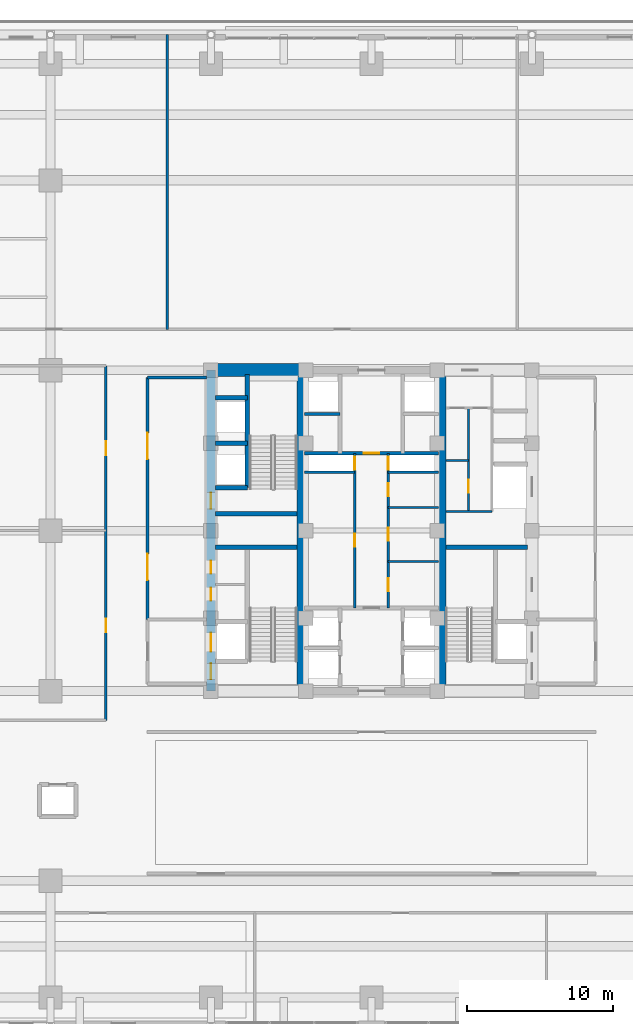
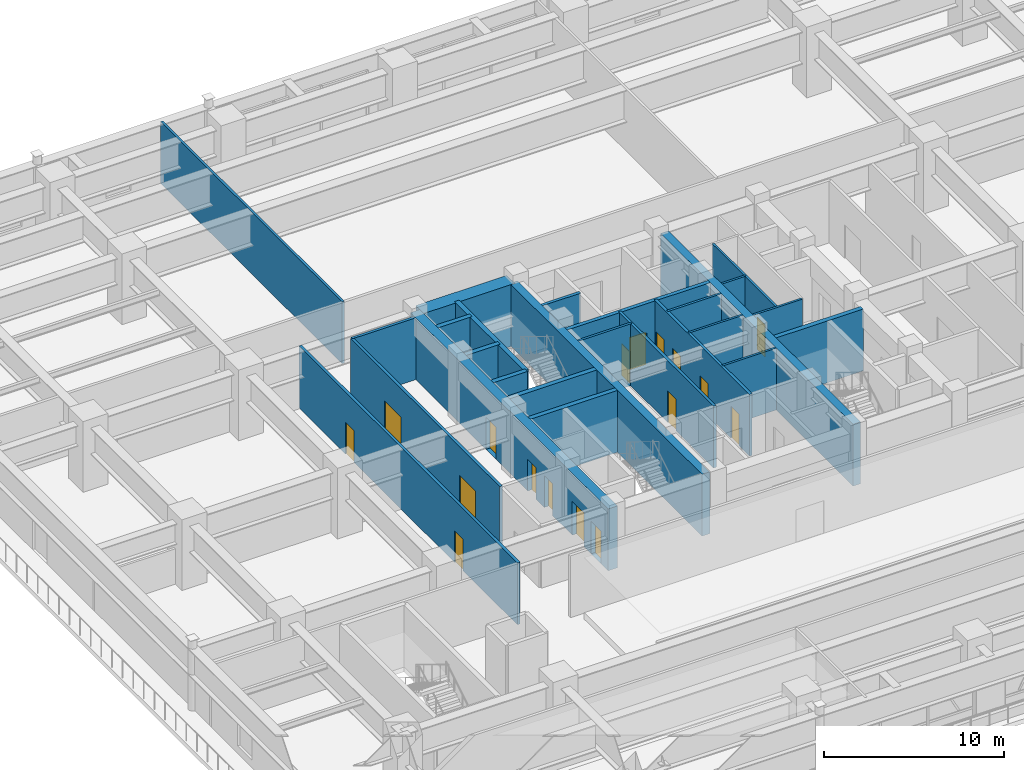
# One storey, part 24 of 35: 26 walls, 17 doors, 17 openings.
"""IFC4 building model written with IfcOpenShell, lengths in metres."""

from ifc_helpers import new_model, si_unit, direction, frame, frame_2d, origin, place, context, subcontext, project, spatial, rectangle, extrude, source, transform, mapped, material, layer, layer_set, type_object, element, fill, save


model = new_model("IFC4")

# Units and contexts
model_context = context("Model", 3, precision=1e-05, world=origin(), true_north=direction((0.0, 1.0)))
body_context = subcontext(model_context, "Body", "Model", "MODEL_VIEW")
ifc_project = project(units=[si_unit("LENGTHUNIT", "METRE"), si_unit("AREAUNIT", "SQUARE_METRE"), si_unit("VOLUMEUNIT", "CUBIC_METRE"), si_unit("PLANEANGLEUNIT", "RADIAN"), si_unit("MASSUNIT", "GRAM", prefix="KILO")], contexts=[model_context])

# Site, building, storey
site_placement = place(None, origin())
site = spatial("IfcSite", under=ifc_project, at=site_placement, CompositionType="ELEMENT")
building_placement = place(site_placement, origin())
building = spatial("IfcBuilding", under=site, at=building_placement, Name="Khorayat Bourse Tower", CompositionType="ELEMENT")
storey_placement = place(building_placement, frame((0.0, 0.0, 22.199951171875)))
storey = spatial("IfcBuildingStorey", under=building, at=storey_placement, Name="L04", CompositionType="ELEMENT", Elevation=22.199951171875)

# Wall, openings, doors
ifc_material_1 = material(Name="Concrete C60/75", Category="concrete")
ifc_layer_1 = layer(ifc_material_1, 0.60009765625)
ifc_layer_set_1 = layer_set([ifc_layer_1], Name="Concrete C60/75")
wall_type_1 = type_object("IfcWallType", Name="WAL-CORE-600", PredefinedType="SHEAR", material=ifc_layer_set_1)
shared_shape_1 = source(origin(), body_context, "Body", "SweptSolid", [
    extrude(rectangle(XDim=22.0, YDim=0.60009765625, at=frame_2d((11.0, 0.0))), origin(), (0.0, 0.0, 1.0), 4.199951171875),
])
wall_1_placement = place(storey_placement, frame((-11.0, -11.0, 0.0), z_axis=(0.0, 0.0, 1.0), x_axis=(0.0, 1.0, 0.0)))
wall_1 = element("IfcWall", 1, at=wall_1_placement, inside=storey, type_object=wall_type_1, Name="L04 Core Shear Wall CORE-W", PredefinedType="SHEAR", context=body_context, shape_type="MappedRepresentation", body=[
    mapped(shared_shape_1, transform((0.0, 0.0, 0.0), scale=1.0)),
])
shared_shape_2 = source(origin(), body_context, "Body", "SweptSolid", [
    extrude(rectangle(XDim=1.10009765625, YDim=2.199951171875, at=frame_2d((0.550048828125, 1.10009765625))), frame((0.0, 0.31005859375, 0.0), z_axis=(0.0, -1.0, 0.0), x_axis=(1.0, 0.0, 0.0)), (0.0, 0.0, 1.0), 0.6201171875),
])
opening_1_placement = place(wall_1_placement, frame((0.800048828125, 0.0, 0.0)))
opening_1 = element("IfcOpeningElement", 2, at=opening_1_placement, cuts=wall_1, Name="Opening DI-01", PredefinedType="OPENING", context=body_context, shape_type="MappedRepresentation", body=[
    mapped(shared_shape_2, transform((0.0, 0.0, 0.0), scale=1.0)),
])
opening_2_placement = place(wall_1_placement, frame((12.5, 0.0, 0.0)))
opening_2 = element("IfcOpeningElement", 3, at=opening_2_placement, cuts=wall_1, Name="Opening DI-01", PredefinedType="OPENING", context=body_context, shape_type="MappedRepresentation", body=[
    mapped(shared_shape_2, transform((0.0, 0.0, 0.0), scale=1.0)),
])
shared_shape_3 = source(origin(), body_context, "Body", "SweptSolid", [
    extrude(rectangle(XDim=0.89990234375, YDim=2.14990234375, at=frame_2d((0.449951171875, 1.074951171875))), frame((0.0, 0.31005859375, 0.0), z_axis=(0.0, -1.0, 0.0), x_axis=(1.0, 0.0, 0.0)), (0.0, 0.0, 1.0), 0.6201171875),
])
opening_3_placement = place(wall_1_placement, frame((6.199951171875, 0.0, 0.0)))
opening_3 = element("IfcOpeningElement", 4, at=opening_3_placement, cuts=wall_1, Name="Opening DI-06", PredefinedType="OPENING", context=body_context, shape_type="MappedRepresentation", body=[
    mapped(shared_shape_3, transform((0.0, 0.0, 0.0), scale=1.0)),
])
opening_4_placement = place(wall_1_placement, frame((8.050048828125, 0.0, 0.0)))
opening_4 = element("IfcOpeningElement", 5, at=opening_4_placement, cuts=wall_1, Name="Opening DI-06", PredefinedType="OPENING", context=body_context, shape_type="MappedRepresentation", body=[
    mapped(shared_shape_3, transform((0.0, 0.0, 0.0), scale=1.0)),
])
shared_shape_4 = source(origin(), body_context, "Body", "SweptSolid", [
    extrude(rectangle(XDim=1.300048828125, YDim=2.300048828125, at=frame_2d((0.64990234375, 1.14990234375))), frame((0.0, 0.31005859375, 0.0), z_axis=(0.0, -1.0, 0.0), x_axis=(1.0, 0.0, 0.0)), (0.0, 0.0, 1.0), 0.6201171875),
])
opening_5_placement = place(wall_1_placement, frame((2.699951171875, 0.0, 0.0)))
opening_5 = element("IfcOpeningElement", 6, at=opening_5_placement, cuts=wall_1, Name="Opening LD-02", PredefinedType="OPENING", context=body_context, shape_type="MappedRepresentation", body=[
    mapped(shared_shape_4, transform((0.0, 0.0, 0.0), scale=1.0)),
])
ifc_material_2 = material(Name="Fire-rated steel acoustic leaf", Category="steel")
door_type_1 = type_object("IfcDoorType", Name="DR-INT-STAIR-1100", OperationType="NOTDEFINED", PredefinedType="DOOR", material=ifc_material_2)
shared_shape_5 = source(origin(), body_context, "Body", "SweptSolid", [
    extrude(rectangle(XDim=1.10009765625, YDim=2.199951171875, at=frame_2d((0.550048828125, 1.10009765625))), frame((0.0, 0.02490234375, 0.0), z_axis=(0.0, -1.0, 0.0), x_axis=(1.0, 0.0, 0.0)), (0.0, 0.0, 1.0), 0.050048828125),
])
door_1_placement = place(opening_1_placement, origin())
door_1 = element("IfcDoor", 7, at=door_1_placement, inside=storey, type_object=door_type_1, Name="L04 Exit Stair 1 Door", OperationType="SINGLE_SWING_RIGHT", OverallHeight=2.199951171875, OverallWidth=1.10009765625, PredefinedType="DOOR", context=body_context, shape_type="MappedRepresentation", body=[
    mapped(shared_shape_5, transform((0.0, 0.0, 0.0), scale=1.0)),
])
fill(opening_1, door_1)
door_2_placement = place(opening_2_placement, origin())
door_2 = element("IfcDoor", 8, at=door_2_placement, inside=storey, type_object=door_type_1, Name="L04 Exit Stair 2 Door", OperationType="SINGLE_SWING_RIGHT", OverallHeight=2.199951171875, OverallWidth=1.10009765625, PredefinedType="DOOR", context=body_context, shape_type="MappedRepresentation", body=[
    mapped(shared_shape_5, transform((0.0, 0.0, 0.0), scale=1.0)),
])
fill(opening_2, door_2)
ifc_material_3 = material(Name="Moisture-resistant laminate washroom door")
door_type_2 = type_object("IfcDoorType", Name="DR-INT-WC-900", OperationType="NOTDEFINED", PredefinedType="DOOR", material=ifc_material_3)
shared_shape_6 = source(origin(), body_context, "Body", "SweptSolid", [
    extrude(rectangle(XDim=0.89990234375, YDim=2.14990234375, at=frame_2d((0.449951171875, 1.074951171875))), frame((0.0, 0.02490234375, 0.0), z_axis=(0.0, -1.0, 0.0), x_axis=(1.0, 0.0, 0.0)), (0.0, 0.0, 1.0), 0.050048828125),
])
door_3_placement = place(opening_3_placement, origin())
door_3 = element("IfcDoor", 9, at=door_3_placement, inside=storey, type_object=door_type_2, Name="L04 Electrical Plant Room Door", OperationType="SINGLE_SWING_RIGHT", OverallHeight=2.14990234375, OverallWidth=0.89990234375, PredefinedType="DOOR", context=body_context, shape_type="MappedRepresentation", body=[
    mapped(shared_shape_6, transform((0.0, 0.0, 0.0), scale=1.0)),
])
fill(opening_3, door_3)
door_4_placement = place(opening_4_placement, origin())
door_4 = element("IfcDoor", 10, at=door_4_placement, inside=storey, type_object=door_type_2, Name="L04 Cleaner Storage Room Door", OperationType="SINGLE_SWING_LEFT", OverallHeight=2.14990234375, OverallWidth=0.89990234375, PredefinedType="DOOR", context=body_context, shape_type="MappedRepresentation", body=[
    mapped(shared_shape_6, transform((0.0, 0.0, 0.0), scale=1.0)),
])
fill(opening_4, door_4)
ifc_material_4 = material(Name="Fire-rated stainless-steel sliding landing door", Category="steel")
door_type_3 = type_object("IfcDoorType", Name="DR-LIFT-FF-1300", OperationType="NOTDEFINED", PredefinedType="DOOR", material=ifc_material_4)
shared_shape_7 = source(origin(), body_context, "Body", "SweptSolid", [
    extrude(rectangle(XDim=1.300048828125, YDim=2.300048828125, at=frame_2d((0.64990234375, 1.14990234375))), frame((0.0, 0.02490234375, 0.0), z_axis=(0.0, -1.0, 0.0), x_axis=(1.0, 0.0, 0.0)), (0.0, 0.0, 1.0), 0.050048828125),
])
door_5_placement = place(opening_5_placement, origin())
door_5 = element("IfcDoor", 11, at=door_5_placement, inside=storey, type_object=door_type_3, Name="L04 Lift FFL-01 Sliding Landing Door", OperationType="SLIDING_TO_LEFT", OverallHeight=2.300048828125, OverallWidth=1.300048828125, PredefinedType="DOOR", context=body_context, shape_type="MappedRepresentation", body=[
    mapped(shared_shape_7, transform((0.0, 0.0, 0.0), scale=1.0)),
])
fill(opening_5, door_5)

# Walls
ifc_material_5 = material(Name="Concrete C52/65", Category="concrete")
ifc_layer_2 = layer(ifc_material_5, 0.5)
ifc_layer_set_2 = layer_set([ifc_layer_2], Name="Concrete C52/65")
wall_type_2 = type_object("IfcWallType", Name="WAL-CORE-500", PredefinedType="SHEAR", material=ifc_layer_set_2)
shared_shape_8 = source(origin(), body_context, "Body", "SweptSolid", [
    extrude(rectangle(XDim=21.39990234375, YDim=0.5, at=frame_2d((10.699951171875, 0.0))), origin(), (0.0, 0.0, 1.0), 4.199951171875),
])
for number, where, z_axis, x_axis, name in (
    (12, (-4.85009765625, -10.699951171875, 0.0), (0.0, 0.0, 1.0), (0.0, 1.0, 0.0), "L04 Core Shear Wall PIER-W"),
    (13, (4.85009765625, -10.699951171875, 0.0), (0.0, 0.0, 1.0), (0.0, 1.0, 0.0), "L04 Core Shear Wall PIER-E"),
):
    element("IfcWall", number, at=place(storey_placement, frame(where, z_axis=z_axis, x_axis=x_axis)), inside=storey, type_object=wall_type_2, Name=name, PredefinedType="SHEAR", context=body_context, shape_type="MappedRepresentation", body=[
        mapped(shared_shape_8, transform((0.0, 0.0, 0.0), scale=1.0)),
    ])
ifc_material_6 = material(Name="Concrete C72/90", Category="concrete")
ifc_layer_3 = layer(ifc_material_6, 0.89990234375)
ifc_layer_set_3 = layer_set([ifc_layer_3], Name="Concrete C72/90")
wall_type_3 = type_object("IfcWallType", Name="WAL-CORE-900", PredefinedType="SHEAR", material=ifc_layer_set_3)
shared_shape_9 = source(origin(), body_context, "Body", "SweptSolid", [
    extrude(rectangle(XDim=5.849853515625, YDim=0.89990234375, at=frame_2d((2.9248046875, 0.0))), origin(), (0.0, 0.0, 1.0), 4.199951171875),
])
wall_2_placement = place(storey_placement, frame((-10.699951171875, 11.0, 0.0), z_axis=(0.0, 0.0, 1.0), x_axis=(1.0, 0.0, 0.0)))
element("IfcWall", 14, at=wall_2_placement, inside=storey, type_object=wall_type_3, Name="L04 Core Shear Wall PIER-WN", PredefinedType="SHEAR", context=body_context, shape_type="MappedRepresentation", body=[
    mapped(shared_shape_9, transform((0.0, 0.0, 0.0), scale=1.0)),
])
ifc_material_7 = material(Name="Concrete C50/60", Category="concrete")
ifc_layer_4 = layer(ifc_material_7, 0.300048828125)
ifc_layer_set_4 = layer_set([ifc_layer_4], Name="Concrete C50/60")
wall_type_4 = type_object("IfcWallType", Name="WAL-SHAFT-300", PredefinedType="SHEAR", material=ifc_layer_set_4)
shared_shape_10 = source(origin(), body_context, "Body", "SweptSolid", [
    extrude(rectangle(XDim=5.599853515625, YDim=0.300048828125, at=frame_2d((2.7998046875, 0.0))), origin(), (0.0, 0.0, 1.0), 4.199951171875),
])
for number, where, z_axis, x_axis, name in (
    (15, (-10.699951171875, -1.14990234375, 0.0), (0.0, 0.0, 1.0), (1.0, 0.0, 0.0), "L04 Core Shear Wall ST1-DIV"),
    (16, (-10.699951171875, 1.14990234375, 0.0), (0.0, 0.0, 1.0), (1.0, 0.0, 0.0), "L04 Core Shear Wall ST2-DIV"),
    (17, (5.10009765625, -1.14990234375, 0.0), (0.0, 0.0, 1.0), (1.0, 0.0, 0.0), "L04 Core Shear Wall ST3-DIV"),
):
    element("IfcWall", number, at=place(storey_placement, frame(where, z_axis=z_axis, x_axis=x_axis)), inside=storey, type_object=wall_type_4, Name=name, PredefinedType="SHEAR", context=body_context, shape_type="MappedRepresentation", body=[
        mapped(shared_shape_10, transform((0.0, 0.0, 0.0), scale=1.0)),
    ])
shared_shape_11 = source(origin(), body_context, "Body", "SweptSolid", [
    extrude(rectangle(XDim=2.199951171875, YDim=0.300048828125, at=frame_2d((1.10009765625, 0.0))), origin(), (0.0, 0.0, 1.0), 4.199951171875),
])
for number, where, z_axis, x_axis, name in (
    (18, (-10.699951171875, 2.949951171875, 0.0), (0.0, 0.0, 1.0), (1.0, 0.0, 0.0), "L04 Partition WAL-L04-WPIER-H1S"),
    (19, (-10.699951171875, 6.0, 0.0), (0.0, 0.0, 1.0), (1.0, 0.0, 0.0), "L04 Partition WAL-L04-WPIER-H12"),
    (20, (-10.699951171875, 9.10009765625, 0.0), (0.0, 0.0, 1.0), (1.0, 0.0, 0.0), "L04 Partition WAL-L04-WPIER-H2N"),
):
    element("IfcWall", number, at=place(storey_placement, frame(where, z_axis=z_axis, x_axis=x_axis)), inside=storey, type_object=wall_type_4, Name=name, PredefinedType="SHEAR", context=body_context, shape_type="MappedRepresentation", body=[
        mapped(shared_shape_11, transform((0.0, 0.0, 0.0), scale=1.0)),
    ])
shared_shape_12 = source(origin(), body_context, "Body", "SweptSolid", [
    extrude(rectangle(XDim=7.75, YDim=0.300048828125, at=frame_2d((3.875, 0.0))), origin(), (0.0, 0.0, 1.0), 4.199951171875),
])
wall_3_placement = place(storey_placement, frame((-8.5, 2.949951171875, 0.0), z_axis=(0.0, 0.0, 1.0), x_axis=(0.0, 1.0, 0.0)))
element("IfcWall", 21, at=wall_3_placement, inside=storey, type_object=wall_type_4, Name="L04 Partition WAL-L04-WPIER-ST2S", PredefinedType="SHEAR", context=body_context, shape_type="MappedRepresentation", body=[
    mapped(shared_shape_12, transform((0.0, 0.0, 0.0), scale=1.0)),
])
ifc_material_8 = material(Name="Moisture-resistant masonry partition", Category="masonry")
ifc_layer_5 = layer(ifc_material_8, 0.139892578125)
ifc_layer_set_5 = layer_set([ifc_layer_5], Name="Moisture-resistant masonry partition")
wall_type_5 = type_object("IfcWallType", Name="WAL-PART-WET-140", PredefinedType="PARTITIONING", material=ifc_layer_set_5)
shared_shape_13 = source(origin(), body_context, "Body", "SweptSolid", [
    extrude(rectangle(XDim=3.14990234375, YDim=0.139892578125, at=frame_2d((1.574951171875, 0.0))), origin(), (0.0, 0.0, 1.0), 4.199951171875),
])
wall_4_placement = place(storey_placement, frame((5.10009765625, 1.300048828125, 0.0), z_axis=(0.0, 0.0, 1.0), x_axis=(1.0, 0.0, 0.0)))
element("IfcWall", 22, at=wall_4_placement, inside=storey, type_object=wall_type_5, Name="L04 Partition WAL-L04-ECORE-S", PredefinedType="PARTITIONING", context=body_context, shape_type="MappedRepresentation", body=[
    mapped(shared_shape_13, transform((0.0, 0.0, 0.0), scale=1.0)),
])

# Wall, opening, door
shared_shape_14 = source(origin(), body_context, "Body", "SweptSolid", [
    extrude(rectangle(XDim=7.099853515625, YDim=0.139892578125, at=frame_2d((3.5498046875, 0.0))), origin(), (0.0, 0.0, 1.0), 4.199951171875),
])
wall_5_placement = place(storey_placement, frame((6.64990234375, 1.300048828125, 0.0), z_axis=(0.0, 0.0, 1.0), x_axis=(0.0, 1.0, 0.0)))
wall_5 = element("IfcWall", 23, at=wall_5_placement, inside=storey, type_object=wall_type_5, Name="L04 Partition WAL-L04-ECW-MID", PredefinedType="PARTITIONING", context=body_context, shape_type="MappedRepresentation", body=[
    mapped(shared_shape_14, transform((0.0, 0.0, 0.0), scale=1.0)),
])
shared_shape_15 = source(origin(), body_context, "Body", "SweptSolid", [
    extrude(rectangle(XDim=0.89990234375, YDim=2.14990234375, at=frame_2d((0.449951171875, 1.074951171875))), frame((0.0, 0.079833984375, 0.0), z_axis=(0.0, -1.0, 0.0), x_axis=(1.0, 0.0, 0.0)), (0.0, 0.0, 1.0), 0.159912109375),
])
opening_6_placement = place(wall_5_placement, frame((1.300048828125, 0.0, 0.0)))
opening_6 = element("IfcOpeningElement", 24, at=opening_6_placement, cuts=wall_5, Name="Opening DI-06", PredefinedType="OPENING", context=body_context, shape_type="MappedRepresentation", body=[
    mapped(shared_shape_15, transform((0.0, 0.0, 0.0), scale=1.0)),
])
door_6_placement = place(opening_6_placement, origin())
door_6 = element("IfcDoor", 25, at=door_6_placement, inside=storey, type_object=door_type_2, Name="L04 Janitor Store Door", OperationType="SINGLE_SWING_LEFT", OverallHeight=2.14990234375, OverallWidth=0.89990234375, PredefinedType="DOOR", context=body_context, shape_type="MappedRepresentation", body=[
    mapped(shared_shape_6, transform((0.0, 0.0, 0.0), scale=1.0)),
])
fill(opening_6, door_6)

# Walls
shared_shape_16 = source(origin(), body_context, "Body", "SweptSolid", [
    extrude(rectangle(XDim=1.5498046875, YDim=0.139892578125, at=frame_2d((0.77490234375, 0.0))), origin(), (0.0, 0.0, 1.0), 4.199951171875),
])
wall_6_placement = place(storey_placement, frame((5.10009765625, 4.800048828125, 0.0), z_axis=(0.0, 0.0, 1.0), x_axis=(1.0, 0.0, 0.0)))
element("IfcWall", 26, at=wall_6_placement, inside=storey, type_object=wall_type_5, Name="L04 Partition WAL-L04-ECW-BOT", PredefinedType="PARTITIONING", context=body_context, shape_type="MappedRepresentation", body=[
    mapped(shared_shape_16, transform((0.0, 0.0, 0.0), scale=1.0)),
])
ifc_material_9 = material(Name="Gypsum plasterboard acoustic stud wall")
ifc_layer_6 = layer(ifc_material_9, 0.179931640625)
ifc_layer_set_6 = layer_set([ifc_layer_6], Name="Gypsum plasterboard acoustic stud wall")
wall_type_6 = type_object("IfcWallType", Name="WAL-PART-CORR-180", PredefinedType="PARTITIONING", material=ifc_layer_set_6)
shared_shape_17 = source(origin(), body_context, "Body", "SweptSolid", [
    extrude(rectangle(XDim=4.050048828125, YDim=0.179931640625, at=frame_2d((2.02490234375, 0.0))), origin(), (0.0, 0.0, 1.0), 4.199951171875),
])
wall_7_placement = place(storey_placement, frame((-15.35009765625, 10.5, 0.0), z_axis=(0.0, 0.0, 1.0), x_axis=(1.0, 0.0, 0.0)))
element("IfcWall", 27, at=wall_7_placement, inside=storey, type_object=wall_type_6, Name="L04 Partition WAL-L04-WLOB-N", PredefinedType="PARTITIONING", context=body_context, shape_type="MappedRepresentation", body=[
    mapped(shared_shape_17, transform((0.0, 0.0, 0.0), scale=1.0)),
])

# Wall, openings, doors
shared_shape_18 = source(origin(), body_context, "Body", "SweptSolid", [
    extrude(rectangle(XDim=16.60009765625, YDim=0.179931640625, at=frame_2d((8.300048828125, 0.0))), origin(), (0.0, 0.0, 1.0), 4.199951171875),
])
wall_8_placement = place(storey_placement, frame((-15.35009765625, -6.10009765625, 0.0), z_axis=(0.0, 0.0, 1.0), x_axis=(0.0, 1.0, 0.0)))
wall_8 = element("IfcWall", 28, at=wall_8_placement, inside=storey, type_object=wall_type_6, Name="L04 Partition WAL-L04-WLOB-W", PredefinedType="PARTITIONING", context=body_context, shape_type="MappedRepresentation", body=[
    mapped(shared_shape_18, transform((0.0, 0.0, 0.0), scale=1.0)),
])
shared_shape_19 = source(origin(), body_context, "Body", "SweptSolid", [
    extrude(rectangle(XDim=1.800048828125, YDim=2.25, at=frame_2d((0.89990234375, 1.125))), frame((0.0, 0.099853515625, 0.0), z_axis=(0.0, -1.0, 0.0), x_axis=(1.0, 0.0, 0.0)), (0.0, 0.0, 1.0), 0.199951171875),
])
opening_7_placement = place(wall_8_placement, frame((2.699951171875, 0.0, 0.0)))
opening_7 = element("IfcOpeningElement", 29, at=opening_7_placement, cuts=wall_8, Name="Opening DI-03", PredefinedType="OPENING", context=body_context, shape_type="MappedRepresentation", body=[
    mapped(shared_shape_19, transform((0.0, 0.0, 0.0), scale=1.0)),
])
opening_8_placement = place(wall_8_placement, frame((11.0, 0.0, 0.0)))
opening_8 = element("IfcOpeningElement", 30, at=opening_8_placement, cuts=wall_8, Name="Opening DI-03", PredefinedType="OPENING", context=body_context, shape_type="MappedRepresentation", body=[
    mapped(shared_shape_19, transform((0.0, 0.0, 0.0), scale=1.0)),
])
ifc_material_10 = material(Name="Fire-rated hardwood vision-panel double leaf", Category="wood")
door_type_4 = type_object("IfcDoorType", Name="DR-INT-CORR-1800", OperationType="NOTDEFINED", PredefinedType="DOOR", material=ifc_material_10)
shared_shape_20 = source(origin(), body_context, "Body", "SweptSolid", [
    extrude(rectangle(XDim=1.800048828125, YDim=2.25, at=frame_2d((0.89990234375, 1.125))), frame((0.0, 0.02490234375, 0.0), z_axis=(0.0, -1.0, 0.0), x_axis=(1.0, 0.0, 0.0)), (0.0, 0.0, 1.0), 0.050048828125),
])
door_7_placement = place(opening_7_placement, origin())
door_7 = element("IfcDoor", 31, at=door_7_placement, inside=storey, type_object=door_type_4, Name="L04 West Core Lobby South Door", OperationType="SINGLE_SWING_LEFT", OverallHeight=2.25, OverallWidth=1.800048828125, PredefinedType="DOOR", context=body_context, shape_type="MappedRepresentation", body=[
    mapped(shared_shape_20, transform((0.0, 0.0, 0.0), scale=1.0)),
])
fill(opening_7, door_7)
door_8_placement = place(opening_8_placement, origin())
door_8 = element("IfcDoor", 32, at=door_8_placement, inside=storey, type_object=door_type_4, Name="L04 West Core Lobby North Door", OperationType="SINGLE_SWING_RIGHT", OverallHeight=2.25, OverallWidth=1.800048828125, PredefinedType="DOOR", context=body_context, shape_type="MappedRepresentation", body=[
    mapped(shared_shape_20, transform((0.0, 0.0, 0.0), scale=1.0)),
])
fill(opening_8, door_8)

# Walls
ifc_material_11 = material(Name="Gypsum plasterboard twin-frame partition")
ifc_layer_7 = layer(ifc_material_11, 0.14990234375)
ifc_layer_set_7 = layer_set([ifc_layer_7], Name="Gypsum plasterboard twin-frame partition")
wall_type_7 = type_object("IfcWallType", Name="WAL-PART-SUITE-150", PredefinedType="PARTITIONING", material=ifc_layer_set_7)
shared_shape_21 = source(origin(), body_context, "Body", "SweptSolid", [
    extrude(rectangle(XDim=3.4501953125, YDim=0.14990234375, at=frame_2d((1.72509765625, 0.0))), origin(), (0.0, 0.0, 1.0), 4.199951171875),
])
for number, where, z_axis, x_axis, name in (
    (33, (-4.60009765625, 4.0, 0.0), (0.0, 0.0, 1.0), (1.0, 0.0, 0.0), "L04 Partition WAL-L04-CRSW-S"),
    (34, (1.14990234375, 4.0, 0.0), (0.0, 0.0, 1.0), (1.0, 0.0, 0.0), "L04 Partition WAL-L04-CRSE-S"),
):
    element("IfcWall", number, at=place(storey_placement, frame(where, z_axis=z_axis, x_axis=x_axis)), inside=storey, type_object=wall_type_7, Name=name, PredefinedType="PARTITIONING", context=body_context, shape_type="MappedRepresentation", body=[
        mapped(shared_shape_21, transform((0.0, 0.0, 0.0), scale=1.0)),
    ])
shared_shape_22 = source(origin(), body_context, "Body", "SweptSolid", [
    extrude(rectangle(XDim=2.4501953125, YDim=0.199951171875, at=frame_2d((1.22509765625, 0.0))), origin(), (0.0, 0.0, 1.0), 4.199951171875),
])
wall_9_placement = place(storey_placement, frame((-4.60009765625, 8.0, 0.0), z_axis=(0.0, 0.0, 1.0), x_axis=(1.0, 0.0, 0.0)))
element("IfcWall", 35, at=wall_9_placement, inside=storey, type_object=wall_type_4, Name="L04 Partition WAL-L04-B2-MW", PredefinedType="SHEAR", context=body_context, shape_type="MappedRepresentation", body=[
    mapped(shared_shape_22, transform((0.0, 0.0, 0.0), scale=1.0)),
])

# Wall, opening, door
shared_shape_23 = source(origin(), body_context, "Body", "SweptSolid", [
    extrude(rectangle(XDim=9.2001953125, YDim=0.25, at=frame_2d((4.60009765625, 0.0))), origin(), (0.0, 0.0, 1.0), 4.199951171875),
])
wall_10_placement = place(storey_placement, frame((-4.60009765625, 5.300048828125, 0.0), z_axis=(0.0, 0.0, 1.0), x_axis=(1.0, 0.0, 0.0)))
wall_10 = element("IfcWall", 36, at=wall_10_placement, inside=storey, type_object=wall_type_4, Name="L04 Partition WAL-L04-B2-S", PredefinedType="SHEAR", context=body_context, shape_type="MappedRepresentation", body=[
    mapped(shared_shape_23, transform((0.0, 0.0, 0.0), scale=1.0)),
])
shared_shape_24 = source(origin(), body_context, "Body", "SweptSolid", [
    extrude(rectangle(XDim=1.050048828125, YDim=2.199951171875, at=frame_2d((0.52490234375, 1.10009765625))), frame((0.0, 0.135009765625, 0.0), z_axis=(0.0, -1.0, 0.0), x_axis=(1.0, 0.0, 0.0)), (0.0, 0.0, 1.0), 0.27001953125),
])
opening_9_placement = place(wall_10_placement, frame((4.074951171875, 0.0, 0.0)))
opening_9 = element("IfcOpeningElement", 37, at=opening_9_placement, cuts=wall_10, Name="Opening DI-04", PredefinedType="OPENING", context=body_context, shape_type="MappedRepresentation", body=[
    mapped(shared_shape_24, transform((0.0, 0.0, 0.0), scale=1.0)),
])
ifc_material_12 = material(Name="Fire-rated oak veneer suite entrance door")
door_type_5 = type_object("IfcDoorType", Name="DR-INT-SUITE-1050", OperationType="NOTDEFINED", PredefinedType="DOOR", material=ifc_material_12)
shared_shape_25 = source(origin(), body_context, "Body", "SweptSolid", [
    extrude(rectangle(XDim=1.050048828125, YDim=2.199951171875, at=frame_2d((0.52490234375, 1.10009765625))), frame((0.0, 0.02490234375, 0.0), z_axis=(0.0, -1.0, 0.0), x_axis=(1.0, 0.0, 0.0)), (0.0, 0.0, 1.0), 0.050048828125),
])
door_9_placement = place(opening_9_placement, origin())
door_9 = element("IfcDoor", 38, at=door_9_placement, inside=storey, type_object=door_type_5, Name="L04 Core Spine North Door", OperationType="SINGLE_SWING_RIGHT", OverallHeight=2.199951171875, OverallWidth=1.050048828125, PredefinedType="DOOR", context=body_context, shape_type="MappedRepresentation", body=[
    mapped(shared_shape_25, transform((0.0, 0.0, 0.0), scale=1.0)),
])
fill(opening_9, door_9)

# Wall, openings, doors
shared_shape_26 = source(origin(), body_context, "Body", "SweptSolid", [
    extrude(rectangle(XDim=10.60009765625, YDim=0.179931640625, at=frame_2d((5.300048828125, 0.0))), origin(), (0.0, 0.0, 1.0), 4.199951171875),
])
wall_11_placement = place(storey_placement, frame((-1.14990234375, -5.300048828125, 0.0), z_axis=(0.0, 0.0, 1.0), x_axis=(0.0, 1.0, 0.0)))
wall_11 = element("IfcWall", 39, at=wall_11_placement, inside=storey, type_object=wall_type_6, Name="L04 Partition WAL-L04-CMW-L", PredefinedType="PARTITIONING", context=body_context, shape_type="MappedRepresentation", body=[
    mapped(shared_shape_26, transform((0.0, 0.0, 0.0), scale=1.0)),
])
shared_shape_27 = source(origin(), body_context, "Body", "SweptSolid", [
    extrude(rectangle(XDim=0.89990234375, YDim=2.14990234375, at=frame_2d((0.449951171875, 1.074951171875))), frame((0.0, 0.099853515625, 0.0), z_axis=(0.0, -1.0, 0.0), x_axis=(1.0, 0.0, 0.0)), (0.0, 0.0, 1.0), 0.199951171875),
])
opening_10_placement = place(wall_11_placement, frame((4.199951171875, 0.0, 0.0)))
opening_10 = element("IfcOpeningElement", 40, at=opening_10_placement, cuts=wall_11, Name="Opening DI-06", PredefinedType="OPENING", context=body_context, shape_type="MappedRepresentation", body=[
    mapped(shared_shape_27, transform((0.0, 0.0, 0.0), scale=1.0)),
])
opening_11_placement = place(wall_11_placement, frame((9.47509765625, 0.0, 0.0)))
opening_11 = element("IfcOpeningElement", 41, at=opening_11_placement, cuts=wall_11, Name="Opening DI-06", PredefinedType="OPENING", context=body_context, shape_type="MappedRepresentation", body=[
    mapped(shared_shape_27, transform((0.0, 0.0, 0.0), scale=1.0)),
])
door_10_placement = place(opening_10_placement, origin())
door_10 = element("IfcDoor", 42, at=door_10_placement, inside=storey, type_object=door_type_2, Name="L04 Male Core Washroom Door", OperationType="SINGLE_SWING_RIGHT", OverallHeight=2.14990234375, OverallWidth=0.89990234375, PredefinedType="DOOR", context=body_context, shape_type="MappedRepresentation", body=[
    mapped(shared_shape_6, transform((0.0, 0.0, 0.0), scale=1.0)),
])
fill(opening_10, door_10)
door_11_placement = place(opening_11_placement, origin())
door_11 = element("IfcDoor", 43, at=door_11_placement, inside=storey, type_object=door_type_2, Name="L04 West Core Riser Door", OperationType="SINGLE_SWING_LEFT", OverallHeight=2.14990234375, OverallWidth=0.89990234375, PredefinedType="DOOR", context=body_context, shape_type="MappedRepresentation", body=[
    mapped(shared_shape_6, transform((0.0, 0.0, 0.0), scale=1.0)),
])
fill(opening_11, door_11)

wall_12_placement = place(storey_placement, frame((1.14990234375, -5.300048828125, 0.0), z_axis=(0.0, 0.0, 1.0), x_axis=(0.0, 1.0, 0.0)))
wall_12 = element("IfcWall", 44, at=wall_12_placement, inside=storey, type_object=wall_type_6, Name="L04 Partition WAL-L04-CME-L", PredefinedType="PARTITIONING", context=body_context, shape_type="MappedRepresentation", body=[
    mapped(shared_shape_26, transform((0.0, 0.0, 0.0), scale=1.0)),
])
opening_12_placement = place(wall_12_placement, frame((1.14990234375, 0.0, 0.0)))
opening_12 = element("IfcOpeningElement", 45, at=opening_12_placement, cuts=wall_12, Name="Opening DI-06", PredefinedType="OPENING", context=body_context, shape_type="MappedRepresentation", body=[
    mapped(shared_shape_27, transform((0.0, 0.0, 0.0), scale=1.0)),
])
opening_13_placement = place(wall_12_placement, frame((4.60009765625, 0.0, 0.0)))
opening_13 = element("IfcOpeningElement", 46, at=opening_13_placement, cuts=wall_12, Name="Opening DI-06", PredefinedType="OPENING", context=body_context, shape_type="MappedRepresentation", body=[
    mapped(shared_shape_27, transform((0.0, 0.0, 0.0), scale=1.0)),
])
opening_14_placement = place(wall_12_placement, frame((7.64990234375, 0.0, 0.0)))
opening_14 = element("IfcOpeningElement", 47, at=opening_14_placement, cuts=wall_12, Name="Opening DI-06", PredefinedType="OPENING", context=body_context, shape_type="MappedRepresentation", body=[
    mapped(shared_shape_27, transform((0.0, 0.0, 0.0), scale=1.0)),
])
opening_15_placement = place(wall_12_placement, frame((9.47509765625, 0.0, 0.0)))
opening_15 = element("IfcOpeningElement", 48, at=opening_15_placement, cuts=wall_12, Name="Opening DI-06", PredefinedType="OPENING", context=body_context, shape_type="MappedRepresentation", body=[
    mapped(shared_shape_27, transform((0.0, 0.0, 0.0), scale=1.0)),
])
door_12_placement = place(opening_12_placement, origin())
door_12 = element("IfcDoor", 49, at=door_12_placement, inside=storey, type_object=door_type_2, Name="L04 Female Core Washroom Door", OperationType="SINGLE_SWING_RIGHT", OverallHeight=2.14990234375, OverallWidth=0.89990234375, PredefinedType="DOOR", context=body_context, shape_type="MappedRepresentation", body=[
    mapped(shared_shape_6, transform((0.0, 0.0, 0.0), scale=1.0)),
])
fill(opening_12, door_12)
door_13_placement = place(opening_13_placement, origin())
door_13 = element("IfcDoor", 50, at=door_13_placement, inside=storey, type_object=door_type_2, Name="L04 Cleaners Store Door", OperationType="SINGLE_SWING_LEFT", OverallHeight=2.14990234375, OverallWidth=0.89990234375, PredefinedType="DOOR", context=body_context, shape_type="MappedRepresentation", body=[
    mapped(shared_shape_6, transform((0.0, 0.0, 0.0), scale=1.0)),
])
fill(opening_13, door_13)
door_14_placement = place(opening_14_placement, origin())
door_14 = element("IfcDoor", 51, at=door_14_placement, inside=storey, type_object=door_type_2, Name="L04 Meter and BMS Plant Room Door", OperationType="SINGLE_SWING_RIGHT", OverallHeight=2.14990234375, OverallWidth=0.89990234375, PredefinedType="DOOR", context=body_context, shape_type="MappedRepresentation", body=[
    mapped(shared_shape_6, transform((0.0, 0.0, 0.0), scale=1.0)),
])
fill(opening_14, door_14)
door_15_placement = place(opening_15_placement, origin())
door_15 = element("IfcDoor", 52, at=door_15_placement, inside=storey, type_object=door_type_2, Name="L04 East Core Riser Door", OperationType="SINGLE_SWING_RIGHT", OverallHeight=2.14990234375, OverallWidth=0.89990234375, PredefinedType="DOOR", context=body_context, shape_type="MappedRepresentation", body=[
    mapped(shared_shape_6, transform((0.0, 0.0, 0.0), scale=1.0)),
])
fill(opening_15, door_15)

# Walls
shared_shape_28 = source(origin(), body_context, "Body", "SweptSolid", [
    extrude(rectangle(XDim=3.4501953125, YDim=0.139892578125, at=frame_2d((1.72509765625, 0.0))), origin(), (0.0, 0.0, 1.0), 4.199951171875),
])
for number, where, z_axis, x_axis, name in (
    (53, (1.14990234375, -2.10009765625, 0.0), (0.0, 0.0, 1.0), (1.0, 0.0, 0.0), "L04 Partition WAL-L04-CME-D1"),
    (54, (1.14990234375, 1.60009765625, 0.0), (0.0, 0.0, 1.0), (1.0, 0.0, 0.0), "L04 Partition WAL-L04-CME-D2"),
):
    element("IfcWall", number, at=place(storey_placement, frame(where, z_axis=z_axis, x_axis=x_axis)), inside=storey, type_object=wall_type_5, Name=name, PredefinedType="PARTITIONING", context=body_context, shape_type="MappedRepresentation", body=[
        mapped(shared_shape_28, transform((0.0, 0.0, 0.0), scale=1.0)),
    ])
shared_shape_29 = source(origin(), body_context, "Body", "SweptSolid", [
    extrude(rectangle(XDim=20.199951171875, YDim=0.14990234375, at=frame_2d((10.10009765625, 0.0))), origin(), (0.0, 0.0, 1.0), 4.199951171875),
])
wall_13_placement = place(storey_placement, frame((-14.0, 13.800048828125, 0.0), z_axis=(0.0, 0.0, 1.0), x_axis=(0.0, 1.0, 0.0)))
element("IfcWall", 55, at=wall_13_placement, inside=storey, type_object=wall_type_7, Name="L04 Partition WAL-L04-PN-DIV-1", PredefinedType="PARTITIONING", context=body_context, shape_type="MappedRepresentation", body=[
    mapped(shared_shape_29, transform((0.0, 0.0, 0.0), scale=1.0)),
])

# Wall, openings, doors
shared_shape_30 = source(origin(), body_context, "Body", "SweptSolid", [
    extrude(rectangle(XDim=24.300048828125, YDim=0.179931640625, at=frame_2d((12.14990234375, 0.0))), origin(), (0.0, 0.0, 1.0), 4.199951171875),
])
wall_14_placement = place(storey_placement, frame((-18.199951171875, -13.0, 0.0), z_axis=(0.0, 0.0, 1.0), x_axis=(0.0, 1.0, 0.0)))
wall_14 = element("IfcWall", 56, at=wall_14_placement, inside=storey, type_object=wall_type_6, Name="L04 Partition WAL-L04-PCORRW-W", PredefinedType="PARTITIONING", context=body_context, shape_type="MappedRepresentation", body=[
    mapped(shared_shape_30, transform((0.0, 0.0, 0.0), scale=1.0)),
])
shared_shape_31 = source(origin(), body_context, "Body", "SweptSolid", [
    extrude(rectangle(XDim=0.949951171875, YDim=2.14990234375, at=frame_2d((0.47509765625, 1.074951171875))), frame((0.0, 0.099853515625, 0.0), z_axis=(0.0, -1.0, 0.0), x_axis=(1.0, 0.0, 0.0)), (0.0, 0.0, 1.0), 0.199951171875),
])
opening_16_placement = place(wall_14_placement, frame((6.02490234375, 0.0, 0.0)))
opening_16 = element("IfcOpeningElement", 57, at=opening_16_placement, cuts=wall_14, Name="Opening DI-05", PredefinedType="OPENING", context=body_context, shape_type="MappedRepresentation", body=[
    mapped(shared_shape_31, transform((0.0, 0.0, 0.0), scale=1.0)),
])
opening_17_placement = place(wall_14_placement, frame((18.175048828125, 0.0, 0.0)))
opening_17 = element("IfcOpeningElement", 58, at=opening_17_placement, cuts=wall_14, Name="Opening DI-05", PredefinedType="OPENING", context=body_context, shape_type="MappedRepresentation", body=[
    mapped(shared_shape_31, transform((0.0, 0.0, 0.0), scale=1.0)),
])
ifc_material_13 = material(Name="Acoustic oak veneer office door")
door_type_6 = type_object("IfcDoorType", Name="DR-INT-OFFICE-950", OperationType="NOTDEFINED", PredefinedType="DOOR", material=ifc_material_13)
shared_shape_32 = source(origin(), body_context, "Body", "SweptSolid", [
    extrude(rectangle(XDim=0.949951171875, YDim=2.14990234375, at=frame_2d((0.47509765625, 1.074951171875))), frame((0.0, 0.02490234375, 0.0), z_axis=(0.0, -1.0, 0.0), x_axis=(1.0, 0.0, 0.0)), (0.0, 0.0, 1.0), 0.050048828125),
])
door_16_placement = place(opening_16_placement, origin())
door_16 = element("IfcDoor", 59, at=door_16_placement, inside=storey, type_object=door_type_6, Name="L04 Executive Quiet Lounge Door", OperationType="SINGLE_SWING_RIGHT", OverallHeight=2.14990234375, OverallWidth=0.949951171875, PredefinedType="DOOR", context=body_context, shape_type="MappedRepresentation", body=[
    mapped(shared_shape_32, transform((0.0, 0.0, 0.0), scale=1.0)),
])
fill(opening_16, door_16)
door_17_placement = place(opening_17_placement, origin())
door_17 = element("IfcDoor", 60, at=door_17_placement, inside=storey, type_object=door_type_6, Name="L04 Public Washrooms Block Door", OperationType="SINGLE_SWING_LEFT", OverallHeight=2.14990234375, OverallWidth=0.949951171875, PredefinedType="DOOR", context=body_context, shape_type="MappedRepresentation", body=[
    mapped(shared_shape_32, transform((0.0, 0.0, 0.0), scale=1.0)),
])
fill(opening_17, door_17)

save(model, "model.ifc")
